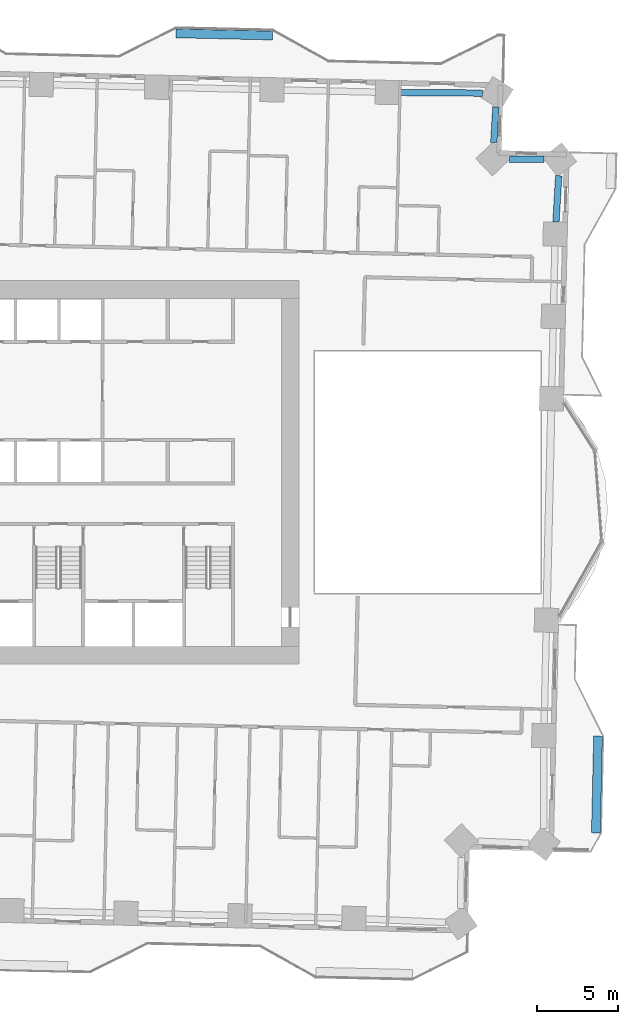
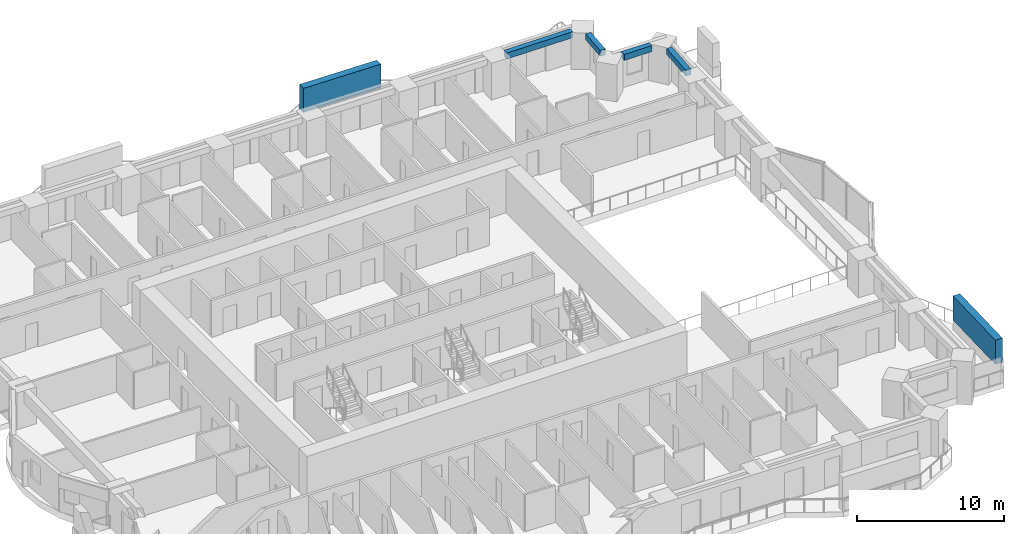
# One storey, part 5 of 20: 4 beams, 2 members.
"""IFC4 building model written with IfcOpenShell, lengths in metres."""

from ifc_helpers import new_model, si_unit, direction, frame, origin, origin_2d, place, context, subcontext, project, spatial, rectangle, extrude, material, material_profile, profile_set, type_object, element, save


model = new_model("IFC4")

# Units and contexts
model_context = context("Model", 3, precision=1e-05, world=origin(), true_north=direction((0.0, 1.0)))
body_context = subcontext(model_context, "Body", "Model", "MODEL_VIEW")
ifc_project = project(units=[si_unit("LENGTHUNIT", "METRE"), si_unit("AREAUNIT", "SQUARE_METRE"), si_unit("VOLUMEUNIT", "CUBIC_METRE"), si_unit("PLANEANGLEUNIT", "RADIAN"), si_unit("MASSUNIT", "GRAM", prefix="KILO")], contexts=[model_context])

# Site, building, storey
site_placement = place(None, origin())
site = spatial("IfcSite", under=ifc_project, at=site_placement, CompositionType="ELEMENT")
building_placement = place(site_placement, origin())
building = spatial("IfcBuilding", under=site, at=building_placement, Name="Mangrove Gate Tower", CompositionType="ELEMENT")
storey_placement = place(building_placement, frame((0.0, 0.0, 60.300048828125)))
storey = spatial("IfcBuildingStorey", under=building, at=storey_placement, Name="L14", CompositionType="ELEMENT", Elevation=60.300048828125)

# Members
ifc_material_1 = material(Name="Planting on aluminium trellis", Category="aluminium")
ifc_material_profile_1 = material_profile(ifc_material_1, rectangle(XDim=0.550048828125, YDim=2.0, at=origin_2d()))
ifc_profile_set_1 = profile_set([ifc_material_profile_1], Name="Planting on aluminium trellis")
member_type = type_object("IfcMemberType", Name="Balcony greenery screen 550x2000", PredefinedType="USERDEFINED", material=ifc_profile_set_1)
member_1_placement = place(storey_placement, frame((33.321044921875, -22.375, 1.800048828125), z_axis=(0.022665943652, 0.999743094499, 0.0), x_axis=(-0.999743094499, 0.022665943652, 0.0)))
element("IfcMember", 1, at=member_1_placement, inside=storey, type_object=member_type, Name="GREEN SCREEN L14 E0.1", ObjectType="PLANTING", PredefinedType="USERDEFINED", context=body_context, shape_type="SweptSolid", body=[
    extrude(rectangle(XDim=0.550048828125, YDim=2.0, at=origin_2d()), origin(), (0.0, 0.0, 1.0), 5.99951171875),
])
member_2_placement = place(storey_placement, frame((7.257080078125, 27.243896484375, 1.800048828125), z_axis=(0.999743178102, -0.022662255828, 0.0), x_axis=(0.022662255828, 0.999743178102, 0.0)))
element("IfcMember", 2, at=member_2_placement, inside=storey, type_object=member_type, Name="GREEN SCREEN L14 N0.1", ObjectType="PLANTING", PredefinedType="USERDEFINED", context=body_context, shape_type="SweptSolid", body=[
    extrude(rectangle(XDim=0.550048828125, YDim=2.0, at=origin_2d()), origin(), (0.0, 0.0, 1.0), 6.00048828125),
])

# Beams
ifc_material_2 = material(Name="Concrete C50/60", Category="concrete")
ifc_material_profile_2 = material_profile(ifc_material_2, rectangle(XDim=0.39990234375, YDim=0.5, at=origin_2d()))
ifc_profile_set_2 = profile_set([ifc_material_profile_2], Name="Concrete C50/60")
beam_type = type_object("IfcBeamType", Name="Edge beam RC 400x500 C50/60", PredefinedType="BEAM", material=ifc_profile_set_2)
beam_1_placement = place(storey_placement, frame((30.8427734375, 15.533203125, 2.800048828125), z_axis=(0.059561358545, 0.998224646344, 0.0), x_axis=(-0.998224646344, 0.059561358545, 0.0)))
element("IfcBeam", 3, at=beam_1_placement, inside=storey, type_object=beam_type, Name="Edge beam L14 19", PredefinedType="BEAM", context=body_context, shape_type="SweptSolid", body=[
    extrude(rectangle(XDim=0.39990234375, YDim=0.5, at=origin_2d()), origin(), (0.0, 0.0, 1.0), 2.881591796875),
])
beam_2_placement = place(storey_placement, frame((30.113037109375, 19.41943359375, 2.800048828125), z_axis=(-0.999952010692, 0.009796750162, 0.0), x_axis=(-0.009796750162, -0.999952010692, 0.0)))
element("IfcBeam", 4, at=beam_2_placement, inside=storey, type_object=beam_type, Name="Edge beam L14 20", PredefinedType="BEAM", context=body_context, shape_type="SweptSolid", body=[
    extrude(rectangle(XDim=0.39990234375, YDim=0.5, at=origin_2d()), origin(), (0.0, 0.0, 1.0), 2.14306640625),
])
beam_3_placement = place(storey_placement, frame((26.983642578125, 20.47265625, 2.800048828125), z_axis=(0.059518193814, 0.99822722093, 0.0), x_axis=(-0.99822722093, 0.059518193814, 0.0)))
element("IfcBeam", 5, at=beam_3_placement, inside=storey, type_object=beam_type, Name="Edge beam L14 21", PredefinedType="BEAM", context=body_context, shape_type="SweptSolid", body=[
    extrude(rectangle(XDim=0.39990234375, YDim=0.5, at=origin_2d()), origin(), (0.0, 0.0, 1.0), 2.2109375),
])
beam_4_placement = place(storey_placement, frame((26.288818359375, 23.536376953125, 2.800048828125), z_axis=(-0.999972365874, 0.007434210694, 0.0), x_axis=(-0.007434210694, -0.999972365874, 0.0)))
element("IfcBeam", 6, at=beam_4_placement, inside=storey, type_object=beam_type, Name="Edge beam L14 22", PredefinedType="BEAM", context=body_context, shape_type="SweptSolid", body=[
    extrude(rectangle(XDim=0.39990234375, YDim=0.5, at=origin_2d()), origin(), (0.0, 0.0, 1.0), 5.156005859375),
])

save(model, "model.ifc")
